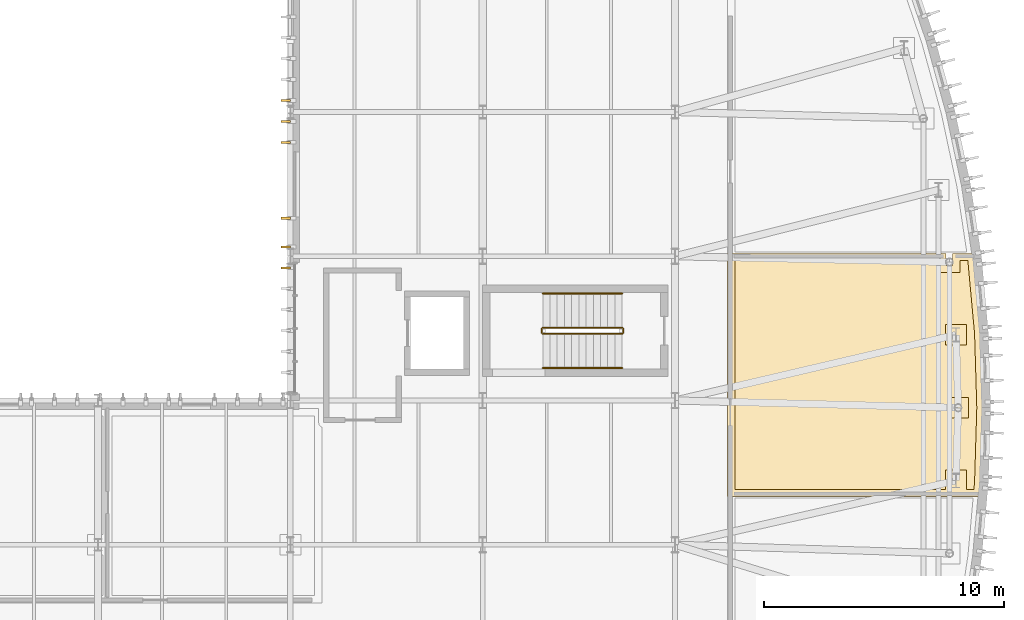
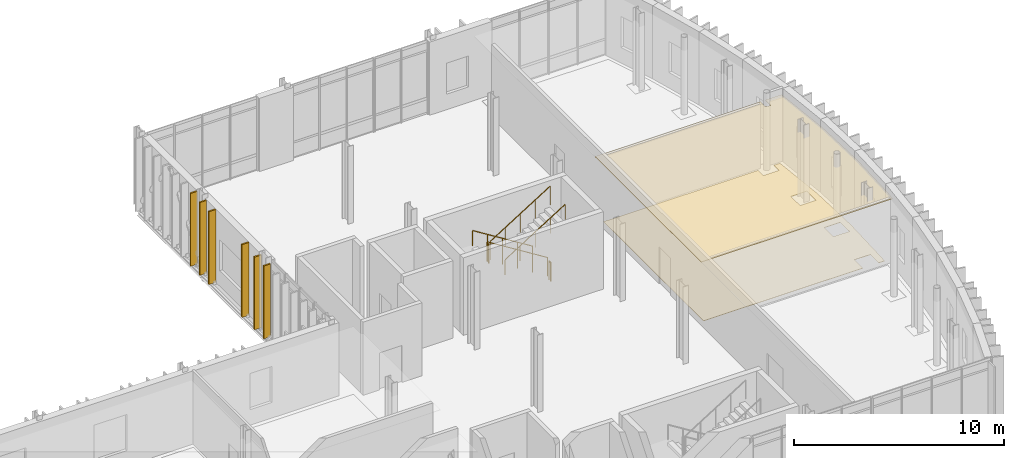
# One storey, part 99 of 100: 8 coverings, 6 railings.
"""IFC4 building model written with IfcOpenShell, lengths in metres."""

from ifc_helpers import new_model, si_unit, direction, frame, origin, origin_2d, place, context, subcontext, project, spatial, polyline, rectangle, circle, outline, extrude, material, layer, layer_set, type_object, element, save


model = new_model("IFC4")

# Units and contexts
model_context = context("Model", 3, precision=1e-05, world=origin(), true_north=direction((0.0, 1.0)))
body_context = subcontext(model_context, "Body", "Model", "MODEL_VIEW")
ifc_project = project(units=[si_unit("LENGTHUNIT", "METRE"), si_unit("AREAUNIT", "SQUARE_METRE"), si_unit("VOLUMEUNIT", "CUBIC_METRE"), si_unit("PLANEANGLEUNIT", "RADIAN"), si_unit("MASSUNIT", "GRAM", prefix="KILO")], contexts=[model_context])

# Site, building, storey
site_placement = place(None, origin())
site = spatial("IfcSite", under=ifc_project, at=site_placement, CompositionType="ELEMENT")
building_placement = place(site_placement, origin())
building = spatial("IfcBuilding", under=site, at=building_placement, Name="Cymarion Research Institute", CompositionType="ELEMENT")
storey_placement = place(building_placement, frame((0.0, 0.0, 4.800048828125)))
storey = spatial("IfcBuildingStorey", under=building, at=storey_placement, Name="L01", CompositionType="ELEMENT", Elevation=4.800048828125)

# Coverings
ifc_material_1 = material(Name="Micro-perforated mineral acoustic ceiling tile", Category="gypsum")
ifc_layer_1 = layer(ifc_material_1, 0.030029296875)
ifc_layer_set_1 = layer_set([ifc_layer_1], Name="Micro-perforated mineral acoustic ceiling tile")
covering_type_1 = type_object("IfcCoveringType", Name="ACOUSTIC MICRO-PERFORATED SUSPENDED CEILING CLG-01", PredefinedType="CEILING", material=ifc_layer_set_1)
covering_1_placement = place(storey_placement, frame((0.0, 0.0, 3.699951171875)))
element("IfcCovering", 1, at=covering_1_placement, inside=storey, type_object=covering_type_1, Name="L01 L01 Curved Prow Analytical Instrumentation Lab acoustic ceiling", PredefinedType="CEILING", context=body_context, shape_type="SweptSolid", body=[
    extrude(outline(polyline([(165.8779296875, 29.614990234375), (165.8779296875, 29.122314453125), (166.14794921875, 29.122314453125), (166.14794921875, 29.614990234375), (167.0517578125, 29.614990234375), (167.3583984375, 26.298583984375), (167.451416015625, 23.199951171875), (167.3583984375, 20.1015625), (167.3046875, 19.5048828125), (156.784912109375, 19.5048828125), (156.784912109375, 29.614990234375), (165.8779296875, 29.614990234375)])), origin(), (0.0, 0.0, 1.0), 0.030029296875),
])
ifc_material_2 = material(Name="Precast concrete C45/55 architectural white", Category="concrete")
ifc_layer_2 = layer(ifc_material_2, 0.0849609375)
ifc_layer_set_2 = layer_set([ifc_layer_2], Name="Precast concrete C45/55 architectural white")
covering_type_2 = type_object("IfcCoveringType", Name="ARCHITECTURAL WHITE PRECAST CONCRETE VERTICAL FIN FIN3 380MM", PredefinedType="CLADDING", material=ifc_layer_set_2)
for number, where, z_axis, x_axis, name in (
    (2, (138.407958984375, 35.97998046875, 0.010009765625), (0.0, 0.0, 1.0), (-1.0, 0.0, 0.0), "L01 V1 white precast vertical fin FIN3 #165"),
    (3, (138.407958984375, 35.110107421875, 0.010009765625), (0.0, 0.0, 1.0), (-1.0, 0.0, 0.0), "L01 V1 white precast vertical fin FIN3 #166"),
    (4, (138.407958984375, 34.239990234375, 0.010009765625), (0.0, 0.0, 1.0), (-1.0, 0.0, 0.0), "L01 V1 white precast vertical fin FIN3 #167"),
    (5, (138.407958984375, 31.080078125, 0.010009765625), (0.0, 0.0, 1.0), (-1.0, 0.0, 0.0), "L01 V1 white precast vertical fin FIN3 #168"),
    (6, (138.407958984375, 29.889892578125, 0.010009765625), (0.0, 0.0, 1.0), (-1.0, 0.0, 0.0), "L01 V1 white precast vertical fin FIN3 #169"),
    (7, (138.407958984375, 29.02001953125, 0.010009765625), (0.0, 0.0, 1.0), (-1.0, 0.0, 0.0), "L01 V1 white precast vertical fin FIN3 #170"),
):
    element("IfcCovering", number, at=place(storey_placement, frame(where, z_axis=z_axis, x_axis=x_axis)), inside=storey, type_object=covering_type_2, Name=name, PredefinedType="CLADDING", context=body_context, shape_type="SweptSolid", body=[
        extrude(rectangle(XDim=0.3798828125, YDim=0.0849609375, at=origin_2d()), origin(), (0.0, 0.0, 1.0), 4.22998046875),
    ])

# Railings
ifc_material_3 = material(Name="Steel S355", Category="steel")
railing_type_1 = type_object("IfcRailingType", Name="PAINTED STEEL STAIR GUARDRAIL GR1 1100MM", PredefinedType="GUARDRAIL", material=ifc_material_3)
railing_1_placement = place(storey_placement, frame((152.39990234375, 26.530029296875, 0.1875)))
element("IfcRailing", 8, at=railing_1_placement, inside=storey, type_object=railing_type_1, Name="L01 ST2 stair guard 1", PredefinedType="GUARDRAIL", context=body_context, shape_type="SweptSolid", body=[
    extrude(circle(Radius=0.02392578125, at=origin_2d()), frame((0.0, 0.0, 1.076171875), z_axis=(-0.847984204989, 0.0, 0.530021497762), x_axis=(0.0, -1.0, 0.0)), (0.0, 0.0, 1.0), 3.891357421875),
    extrude(circle(Radius=0.02099609375, at=origin_2d()), origin(), (0.0, 0.0, 1.0), 1.052001953125),
    extrude(circle(Radius=0.02099609375, at=origin_2d()), frame((-0.824951171875, 0.0, 0.515625)), (0.0, 0.0, 1.0), 1.052001953125),
    extrude(circle(Radius=0.02099609375, at=origin_2d()), frame((-1.64990234375, 0.0, 1.03125)), (0.0, 0.0, 1.0), 1.052001953125),
    extrude(circle(Radius=0.02099609375, at=origin_2d()), frame((-2.474853515625, 0.0, 1.546875)), (0.0, 0.0, 1.0), 1.052001953125),
    extrude(circle(Radius=0.02099609375, at=origin_2d()), frame((-3.2998046875, 0.0, 2.0625)), (0.0, 0.0, 1.0), 1.052001953125),
])
railing_2_placement = place(storey_placement, frame((149.050048828125, 26.47998046875, 2.25)))
element("IfcRailing", 9, at=railing_2_placement, inside=storey, type_object=railing_type_1, Name="L01 ST2 stair guard 2", PredefinedType="GUARDRAIL", context=body_context, shape_type="SweptSolid", body=[
    extrude(circle(Radius=0.02392578125, at=origin_2d()), frame((0.0, 0.0, 1.076171875), z_axis=(0.0, -1.0, 0.0), x_axis=(1.0, 0.0, 0.0)), (0.0, 0.0, 1.0), 0.159912109375),
    extrude(circle(Radius=0.02099609375, at=origin_2d()), origin(), (0.0, 0.0, 1.0), 1.052001953125),
    extrude(circle(Radius=0.02099609375, at=origin_2d()), frame((0.0, -0.159912109375, 0.0)), (0.0, 0.0, 1.0), 1.052001953125),
])
railing_3_placement = place(storey_placement, frame((149.10009765625, 26.27001953125, 2.4375)))
element("IfcRailing", 10, at=railing_3_placement, inside=storey, type_object=railing_type_1, Name="L01 ST2 stair guard 3", PredefinedType="GUARDRAIL", context=body_context, shape_type="SweptSolid", body=[
    extrude(circle(Radius=0.02392578125, at=origin_2d()), frame((0.0, 0.0, 1.076171875), z_axis=(0.847984204989, 0.0, 0.530021497762), x_axis=(0.0, 1.0, 0.0)), (0.0, 0.0, 1.0), 3.891357421875),
    extrude(circle(Radius=0.02099609375, at=origin_2d()), origin(), (0.0, 0.0, 1.0), 1.052001953125),
    extrude(circle(Radius=0.02099609375, at=origin_2d()), frame((0.824951171875, 0.0, 0.515625)), (0.0, 0.0, 1.0), 1.052001953125),
    extrude(circle(Radius=0.02099609375, at=origin_2d()), frame((1.64990234375, 0.0, 1.03125)), (0.0, 0.0, 1.0), 1.052001953125),
    extrude(circle(Radius=0.02099609375, at=origin_2d()), frame((2.474853515625, 0.0, 1.546875)), (0.0, 0.0, 1.0), 1.052001953125),
    extrude(circle(Radius=0.02099609375, at=origin_2d()), frame((3.2998046875, 0.0, 2.0625)), (0.0, 0.0, 1.0), 1.052001953125),
])
railing_4_placement = place(storey_placement, frame((152.449951171875, 26.47998046875, 0.0)))
element("IfcRailing", 11, at=railing_4_placement, inside=storey, type_object=railing_type_1, Name="L01 ST2 stair guard 4", PredefinedType="GUARDRAIL", context=body_context, shape_type="SweptSolid", body=[
    extrude(circle(Radius=0.02392578125, at=origin_2d()), frame((0.0, 0.0, 1.076171875), z_axis=(0.0, -1.0, 0.0), x_axis=(1.0, 0.0, 0.0)), (0.0, 0.0, 1.0), 0.159912109375),
    extrude(circle(Radius=0.02099609375, at=origin_2d()), origin(), (0.0, 0.0, 1.0), 1.052001953125),
    extrude(circle(Radius=0.02099609375, at=origin_2d()), frame((0.0, -0.159912109375, 0.0)), (0.0, 0.0, 1.0), 1.052001953125),
])

# Covering
ifc_material_4 = material(Name="Seamless dissipative epoxy resin flooring", Category="resin")
ifc_layer_3 = layer(ifc_material_4, 0.02001953125)
ifc_layer_set_3 = layer_set([ifc_layer_3], Name="Seamless dissipative epoxy resin flooring")
covering_type_3 = type_object("IfcCoveringType", Name="SEAMLESS ESD EPOXY LABORATORY FLOORING FLR-01", PredefinedType="FLOORING", material=ifc_layer_set_3)
covering_2_placement = place(storey_placement, origin())
element("IfcCovering", 12, at=covering_2_placement, inside=storey, type_object=covering_type_3, Name="L01 L01 Curved Prow Analytical Instrumentation Lab ESD epoxy flooring", PredefinedType="FLOORING", context=body_context, shape_type="SweptSolid", body=[
    extrude(outline(polyline([(157.0849609375, 29.31494140625), (165.577880859375, 29.31494140625), (165.577880859375, 28.822265625), (166.447998046875, 28.822265625), (166.447998046875, 29.31494140625), (166.7783203125, 29.31494140625), (167.058837890625, 26.2802734375), (167.151123046875, 23.199951171875), (167.058837890625, 20.11962890625), (167.030517578125, 19.804931640625), (166.720458984375, 19.804931640625), (166.720458984375, 20.60107421875), (165.8505859375, 20.60107421875), (165.8505859375, 19.804931640625), (157.0849609375, 19.804931640625), (157.0849609375, 29.31494140625)]), holes=[polyline([(166.8115234375, 23.635009765625), (165.94140625, 23.635009765625), (165.94140625, 22.764892578125), (166.8115234375, 22.764892578125), (166.8115234375, 23.635009765625)]), polyline([(166.720458984375, 26.6689453125), (165.8505859375, 26.6689453125), (165.8505859375, 25.799072265625), (166.720458984375, 25.799072265625), (166.720458984375, 26.6689453125)])]), origin(), (0.0, 0.0, 1.0), 0.02001953125),
])

# Railings
railing_type_2 = type_object("IfcRailingType", Name="STAINLESS STEEL STAIR HANDRAIL HR1 900MM", PredefinedType="HANDRAIL", material=ifc_material_3)
railing_5_placement = place(storey_placement, frame((152.39990234375, 27.949951171875, 0.1875)))
element("IfcRailing", 13, at=railing_5_placement, inside=storey, type_object=railing_type_2, Name="L01 ST2 stair handrail 1", PredefinedType="HANDRAIL", context=body_context, shape_type="SweptSolid", body=[
    extrude(circle(Radius=0.02392578125, at=origin_2d()), frame((0.0, 0.0, 0.8759765625), z_axis=(-0.847984204989, 0.0, 0.530021497762), x_axis=(0.0, -1.0, 0.0)), (0.0, 0.0, 1.0), 3.891357421875),
    extrude(circle(Radius=0.02099609375, at=origin_2d()), origin(), (0.0, 0.0, 1.0), 0.851806640625),
    extrude(circle(Radius=0.02099609375, at=origin_2d()), frame((-0.824951171875, 0.0, 0.515625)), (0.0, 0.0, 1.0), 0.851806640625),
    extrude(circle(Radius=0.02099609375, at=origin_2d()), frame((-1.64990234375, 0.0, 1.03125)), (0.0, 0.0, 1.0), 0.851806640625),
    extrude(circle(Radius=0.02099609375, at=origin_2d()), frame((-2.474853515625, 0.0, 1.546875)), (0.0, 0.0, 1.0), 0.851806640625),
    extrude(circle(Radius=0.02099609375, at=origin_2d()), frame((-3.2998046875, 0.0, 2.0625)), (0.0, 0.0, 1.0), 0.851806640625),
])
railing_6_placement = place(storey_placement, frame((149.10009765625, 24.85009765625, 2.4375)))
element("IfcRailing", 14, at=railing_6_placement, inside=storey, type_object=railing_type_2, Name="L01 ST2 stair handrail 2", PredefinedType="HANDRAIL", context=body_context, shape_type="SweptSolid", body=[
    extrude(circle(Radius=0.02392578125, at=origin_2d()), frame((0.0, 0.0, 0.8759765625), z_axis=(0.847984204989, 0.0, 0.530021497762), x_axis=(0.0, 1.0, 0.0)), (0.0, 0.0, 1.0), 3.891357421875),
    extrude(circle(Radius=0.02099609375, at=origin_2d()), origin(), (0.0, 0.0, 1.0), 0.851806640625),
    extrude(circle(Radius=0.02099609375, at=origin_2d()), frame((0.824951171875, 0.0, 0.515625)), (0.0, 0.0, 1.0), 0.851806640625),
    extrude(circle(Radius=0.02099609375, at=origin_2d()), frame((1.64990234375, 0.0, 1.03125)), (0.0, 0.0, 1.0), 0.851806640625),
    extrude(circle(Radius=0.02099609375, at=origin_2d()), frame((2.474853515625, 0.0, 1.546875)), (0.0, 0.0, 1.0), 0.851806640625),
    extrude(circle(Radius=0.02099609375, at=origin_2d()), frame((3.2998046875, 0.0, 2.0625)), (0.0, 0.0, 1.0), 0.851806640625),
])

save(model, "model.ifc")
